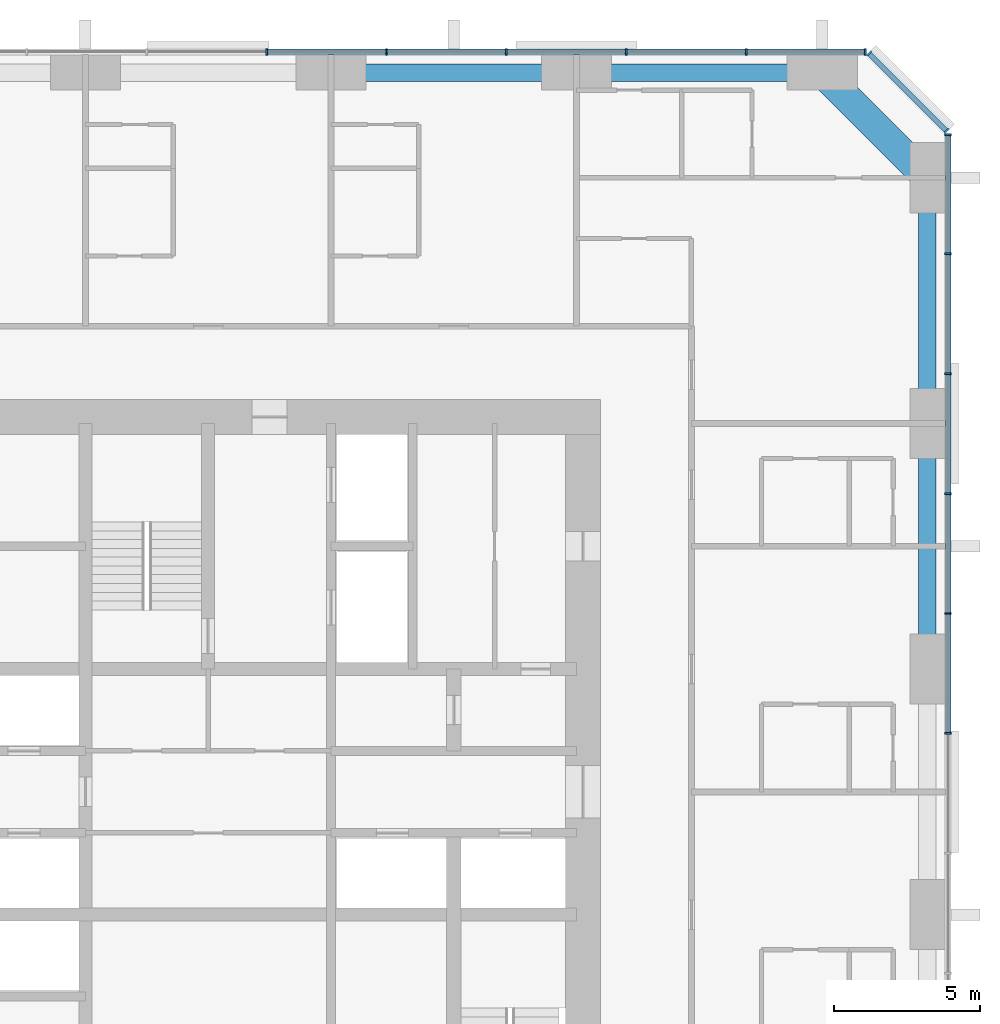
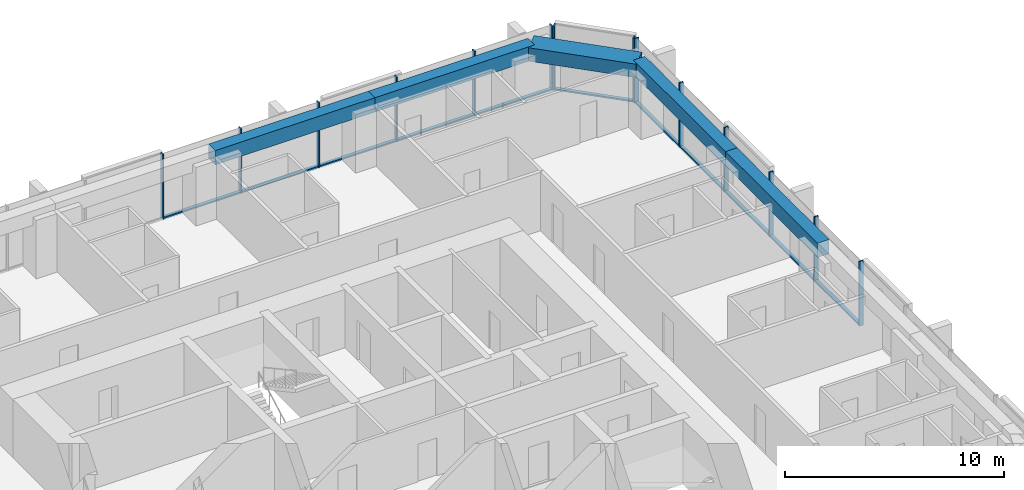
# One storey, part 6 of 14: 25 members, 5 beams, 3 elements without a shape of their own.
"""IFC4 building model written with IfcOpenShell, lengths in metres."""

from ifc_helpers import new_model, si_unit, direction, frame, origin, origin_2d, place, context, subcontext, project, spatial, rectangle, extrude, material, material_profile, profile_set, type_object, element, aggregate, save


model = new_model("IFC4")

# Units and contexts
model_context = context("Model", 3, precision=1e-05, world=origin(), true_north=direction((0.0, 1.0)))
body_context = subcontext(model_context, "Body", "Model", "MODEL_VIEW")
ifc_project = project(units=[si_unit("LENGTHUNIT", "METRE"), si_unit("AREAUNIT", "SQUARE_METRE"), si_unit("VOLUMEUNIT", "CUBIC_METRE"), si_unit("PLANEANGLEUNIT", "RADIAN"), si_unit("MASSUNIT", "GRAM", prefix="KILO")], contexts=[model_context])

# Site, building, storey
site_placement = place(None, origin())
site = spatial("IfcSite", under=ifc_project, at=site_placement, CompositionType="ELEMENT")
building_placement = place(site_placement, origin())
building = spatial("IfcBuilding", under=site, at=building_placement, Name="Dunama Terrace Hotel", CompositionType="ELEMENT")
storey_placement = place(building_placement, frame((0.0, 0.0, 104.39990234375)))
storey = spatial("IfcBuildingStorey", under=building, at=storey_placement, Name="L26", CompositionType="ELEMENT", Elevation=104.39990234375)

# Curtain wall, members
ifc_material_1 = material(Name="Aluminium curtain wall system", Category="aluminium")
curtain_wall_type = type_object("IfcCurtainWallType", Name="Unitised fritted glass wall CW-B", PredefinedType="NOTDEFINED", material=ifc_material_1)
curtain_wall_1_placement = place(storey_placement, origin())
curtain_wall_1 = element("IfcCurtainWall", 1, at=curtain_wall_1_placement, inside=storey, type_object=curtain_wall_type, Name="Unitised fritted glass wall CW-B L26", PredefinedType="NOTDEFINED")
ifc_material_2 = material(Name="Aluminium mullion", Category="aluminium")
ifc_material_profile_1 = material_profile(ifc_material_2, rectangle(XDim=0.06494140625, YDim=0.219970703125, at=origin_2d()), Name="CWB MULLION 65X220")
ifc_profile_set_1 = profile_set([ifc_material_profile_1], Name="Aluminium mullion")
member_type_1 = type_object("IfcMemberType", Name="CWB mullion 65x220", PredefinedType="MULLION", material=ifc_profile_set_1)
member_1_placement = place(storey_placement, frame((54.7099609375, 31.39990234375, 0.0), z_axis=(0.0, 0.0, 1.0), x_axis=(0.0, 1.0, 0.0)))
member_1 = element("IfcMember", 2, at=member_1_placement, type_object=member_type_1, Name="CWB mullion", PredefinedType="MULLION", context=body_context, shape_type="SweptSolid", body=[
    extrude(rectangle(XDim=0.06494140625, YDim=0.219970703125, at=origin_2d()), origin(), (0.0, 0.0, 1.0), 3.60009765625),
])
member_2_placement = place(storey_placement, frame((54.7099609375, 35.5, 0.0), z_axis=(0.0, 0.0, 1.0), x_axis=(0.0, 1.0, 0.0)))
member_2 = element("IfcMember", 3, at=member_2_placement, type_object=member_type_1, Name="CWB mullion", PredefinedType="MULLION", context=body_context, shape_type="SweptSolid", body=[
    extrude(rectangle(XDim=0.06494140625, YDim=0.219970703125, at=origin_2d()), origin(), (0.0, 0.0, 1.0), 3.60009765625),
])
member_3_placement = place(storey_placement, frame((54.7099609375, 39.60009765625, 0.0), z_axis=(0.0, 0.0, 1.0), x_axis=(0.0, 1.0, 0.0)))
member_3 = element("IfcMember", 4, at=member_3_placement, type_object=member_type_1, Name="CWB mullion", PredefinedType="MULLION", context=body_context, shape_type="SweptSolid", body=[
    extrude(rectangle(XDim=0.06494140625, YDim=0.219970703125, at=origin_2d()), origin(), (0.0, 0.0, 1.0), 3.60009765625),
])
member_4_placement = place(storey_placement, frame((54.7099609375, 43.699951171875, 0.0), z_axis=(0.0, 0.0, 1.0), x_axis=(0.0, 1.0, 0.0)))
member_4 = element("IfcMember", 5, at=member_4_placement, type_object=member_type_1, Name="CWB mullion", PredefinedType="MULLION", context=body_context, shape_type="SweptSolid", body=[
    extrude(rectangle(XDim=0.06494140625, YDim=0.219970703125, at=origin_2d()), origin(), (0.0, 0.0, 1.0), 3.60009765625),
])
member_5_placement = place(storey_placement, frame((54.7099609375, 47.800048828125, 0.0), z_axis=(0.0, 0.0, 1.0), x_axis=(0.0, 1.0, 0.0)))
member_5 = element("IfcMember", 6, at=member_5_placement, type_object=member_type_1, Name="CWB mullion", PredefinedType="MULLION", context=body_context, shape_type="SweptSolid", body=[
    extrude(rectangle(XDim=0.06494140625, YDim=0.219970703125, at=origin_2d()), origin(), (0.0, 0.0, 1.0), 3.60009765625),
])
member_6_placement = place(storey_placement, frame((54.7099609375, 51.866943359375, 0.0), z_axis=(0.0, 0.0, 1.0), x_axis=(0.0, 1.0, 0.0)))
member_6 = element("IfcMember", 7, at=member_6_placement, type_object=member_type_1, Name="CWB mullion", PredefinedType="MULLION", context=body_context, shape_type="SweptSolid", body=[
    extrude(rectangle(XDim=0.06494140625, YDim=0.219970703125, at=origin_2d()), origin(), (0.0, 0.0, 1.0), 3.60009765625),
])

curtain_wall_2_placement = place(storey_placement, origin())
curtain_wall_2 = element("IfcCurtainWall", 8, at=curtain_wall_2_placement, inside=storey, type_object=curtain_wall_type, Name="Unitised fritted glass wall CW-B L26", PredefinedType="NOTDEFINED")
member_7_placement = place(storey_placement, frame((54.655029296875, 52.0009765625, 0.0), z_axis=(0.0, 0.0, 1.0), x_axis=(-0.707106781187, 0.707106781187, 0.0)))
member_7 = element("IfcMember", 9, at=member_7_placement, type_object=member_type_1, Name="CWB mullion", PredefinedType="MULLION", context=body_context, shape_type="SweptSolid", body=[
    extrude(rectangle(XDim=0.06494140625, YDim=0.219970703125, at=origin_2d()), origin(), (0.0, 0.0, 1.0), 3.60009765625),
])
member_8_placement = place(storey_placement, frame((52.0009765625, 54.655029296875, 0.0), z_axis=(0.0, 0.0, 1.0), x_axis=(-0.707106781187, 0.707106781187, 0.0)))
member_8 = element("IfcMember", 10, at=member_8_placement, type_object=member_type_1, Name="CWB mullion", PredefinedType="MULLION", context=body_context, shape_type="SweptSolid", body=[
    extrude(rectangle(XDim=0.06494140625, YDim=0.219970703125, at=origin_2d()), origin(), (0.0, 0.0, 1.0), 3.60009765625),
])

curtain_wall_3_placement = place(storey_placement, origin())
curtain_wall_3 = element("IfcCurtainWall", 11, at=curtain_wall_3_placement, inside=storey, type_object=curtain_wall_type, Name="Unitised fritted glass wall CW-B L26", PredefinedType="NOTDEFINED")
member_9_placement = place(storey_placement, frame((51.866943359375, 54.7099609375, 0.0), z_axis=(0.0, 0.0, 1.0), x_axis=(-1.0, 0.0, 0.0)))
member_9 = element("IfcMember", 12, at=member_9_placement, type_object=member_type_1, Name="CWB mullion", PredefinedType="MULLION", context=body_context, shape_type="SweptSolid", body=[
    extrude(rectangle(XDim=0.06494140625, YDim=0.219970703125, at=origin_2d()), origin(), (0.0, 0.0, 1.0), 3.60009765625),
])
member_10_placement = place(storey_placement, frame((47.800048828125, 54.7099609375, 0.0), z_axis=(0.0, 0.0, 1.0), x_axis=(-1.0, 0.0, 0.0)))
member_10 = element("IfcMember", 13, at=member_10_placement, type_object=member_type_1, Name="CWB mullion", PredefinedType="MULLION", context=body_context, shape_type="SweptSolid", body=[
    extrude(rectangle(XDim=0.06494140625, YDim=0.219970703125, at=origin_2d()), origin(), (0.0, 0.0, 1.0), 3.60009765625),
])
member_11_placement = place(storey_placement, frame((43.699951171875, 54.7099609375, 0.0), z_axis=(0.0, 0.0, 1.0), x_axis=(-1.0, 0.0, 0.0)))
member_11 = element("IfcMember", 14, at=member_11_placement, type_object=member_type_1, Name="CWB mullion", PredefinedType="MULLION", context=body_context, shape_type="SweptSolid", body=[
    extrude(rectangle(XDim=0.06494140625, YDim=0.219970703125, at=origin_2d()), origin(), (0.0, 0.0, 1.0), 3.60009765625),
])
member_12_placement = place(storey_placement, frame((39.60009765625, 54.7099609375, 0.0), z_axis=(0.0, 0.0, 1.0), x_axis=(-1.0, 0.0, 0.0)))
member_12 = element("IfcMember", 15, at=member_12_placement, type_object=member_type_1, Name="CWB mullion", PredefinedType="MULLION", context=body_context, shape_type="SweptSolid", body=[
    extrude(rectangle(XDim=0.06494140625, YDim=0.219970703125, at=origin_2d()), origin(), (0.0, 0.0, 1.0), 3.60009765625),
])
member_13_placement = place(storey_placement, frame((35.5, 54.7099609375, 0.0), z_axis=(0.0, 0.0, 1.0), x_axis=(-1.0, 0.0, 0.0)))
member_13 = element("IfcMember", 16, at=member_13_placement, type_object=member_type_1, Name="CWB mullion", PredefinedType="MULLION", context=body_context, shape_type="SweptSolid", body=[
    extrude(rectangle(XDim=0.06494140625, YDim=0.219970703125, at=origin_2d()), origin(), (0.0, 0.0, 1.0), 3.60009765625),
])
member_14_placement = place(storey_placement, frame((31.39990234375, 54.7099609375, 0.0), z_axis=(0.0, 0.0, 1.0), x_axis=(-1.0, 0.0, 0.0)))
member_14 = element("IfcMember", 17, at=member_14_placement, type_object=member_type_1, Name="CWB mullion", PredefinedType="MULLION", context=body_context, shape_type="SweptSolid", body=[
    extrude(rectangle(XDim=0.06494140625, YDim=0.219970703125, at=origin_2d()), origin(), (0.0, 0.0, 1.0), 3.60009765625),
])

# Member
ifc_material_3 = material(Name="Aluminium transom", Category="aluminium")
ifc_material_profile_2 = material_profile(ifc_material_3, rectangle(XDim=0.179931640625, YDim=0.080078125, at=origin_2d()), Name="CWB TRANSOM 180X80")
ifc_profile_set_2 = profile_set([ifc_material_profile_2], Name="Aluminium transom")
member_type_2 = type_object("IfcMemberType", Name="CWB transom 180x80", PredefinedType="USERDEFINED", material=ifc_profile_set_2)
member_15_placement = place(storey_placement, frame((54.7099609375, 31.431884765625, 0.0400390625), z_axis=(0.0, 1.0, 0.0), x_axis=(-1.0, 0.0, 0.0)))
member_15 = element("IfcMember", 18, at=member_15_placement, type_object=member_type_2, Name="CWB transom", ObjectType="TRANSOM", PredefinedType="USERDEFINED", context=body_context, shape_type="SweptSolid", body=[
    extrude(rectangle(XDim=0.179931640625, YDim=0.080078125, at=origin_2d()), origin(), (0.0, 0.0, 1.0), 4.0361328125),
])

member_16_placement = place(storey_placement, frame((54.7099609375, 35.531982421875, 0.0400390625), z_axis=(0.0, 1.0, 0.0), x_axis=(-1.0, 0.0, 0.0)))
member_16 = element("IfcMember", 19, at=member_16_placement, type_object=member_type_2, Name="CWB transom", ObjectType="TRANSOM", PredefinedType="USERDEFINED", context=body_context, shape_type="SweptSolid", body=[
    extrude(rectangle(XDim=0.179931640625, YDim=0.080078125, at=origin_2d()), origin(), (0.0, 0.0, 1.0), 4.0361328125),
])

member_17_placement = place(storey_placement, frame((54.7099609375, 39.633056640625, 0.0400390625), z_axis=(0.0, 1.0, 0.0), x_axis=(-1.0, 0.0, 0.0)))
member_17 = element("IfcMember", 20, at=member_17_placement, type_object=member_type_2, Name="CWB transom", ObjectType="TRANSOM", PredefinedType="USERDEFINED", context=body_context, shape_type="SweptSolid", body=[
    extrude(rectangle(XDim=0.179931640625, YDim=0.080078125, at=origin_2d()), origin(), (0.0, 0.0, 1.0), 4.034912109375),
])

member_18_placement = place(storey_placement, frame((54.7099609375, 43.73291015625, 0.0400390625), z_axis=(0.0, 1.0, 0.0), x_axis=(-1.0, 0.0, 0.0)))
member_18 = element("IfcMember", 21, at=member_18_placement, type_object=member_type_2, Name="CWB transom", ObjectType="TRANSOM", PredefinedType="USERDEFINED", context=body_context, shape_type="SweptSolid", body=[
    extrude(rectangle(XDim=0.179931640625, YDim=0.080078125, at=origin_2d()), origin(), (0.0, 0.0, 1.0), 4.0341796875),
])

member_19_placement = place(storey_placement, frame((54.7099609375, 47.83203125, 0.0400390625), z_axis=(0.0, 1.0, 0.0), x_axis=(-1.0, 0.0, 0.0)))
member_19 = element("IfcMember", 22, at=member_19_placement, type_object=member_type_2, Name="CWB transom", ObjectType="TRANSOM", PredefinedType="USERDEFINED", context=body_context, shape_type="SweptSolid", body=[
    extrude(rectangle(XDim=0.179931640625, YDim=0.080078125, at=origin_2d()), origin(), (0.0, 0.0, 1.0), 4.0029296875),
])

aggregate(curtain_wall_1, [member_1, member_2, member_3, member_4, member_5, member_6, member_15, member_16, member_17, member_18, member_19])

member_20_placement = place(storey_placement, frame((54.632080078125, 52.02392578125, 0.0400390625), z_axis=(-0.707106781187, 0.707106781187, 0.0), x_axis=(-0.707106781187, -0.707106781187, 0.0)))
member_20 = element("IfcMember", 23, at=member_20_placement, type_object=member_type_2, Name="CWB transom", ObjectType="TRANSOM", PredefinedType="USERDEFINED", context=body_context, shape_type="SweptSolid", body=[
    extrude(rectangle(XDim=0.179931640625, YDim=0.080078125, at=origin_2d()), origin(), (0.0, 0.0, 1.0), 3.6884765625),
])

aggregate(curtain_wall_2, [member_7, member_8, member_20])

member_21_placement = place(storey_placement, frame((51.8349609375, 54.7099609375, 0.0400390625), z_axis=(-1.0, 0.0, 0.0), x_axis=(0.0, -1.0, 0.0)))
member_21 = element("IfcMember", 24, at=member_21_placement, type_object=member_type_2, Name="CWB transom", ObjectType="TRANSOM", PredefinedType="USERDEFINED", context=body_context, shape_type="SweptSolid", body=[
    extrude(rectangle(XDim=0.179931640625, YDim=0.080078125, at=origin_2d()), origin(), (0.0, 0.0, 1.0), 4.0029296875),
])

member_22_placement = place(storey_placement, frame((47.76708984375, 54.7099609375, 0.0400390625), z_axis=(-1.0, 0.0, 0.0), x_axis=(0.0, -1.0, 0.0)))
member_22 = element("IfcMember", 25, at=member_22_placement, type_object=member_type_2, Name="CWB transom", ObjectType="TRANSOM", PredefinedType="USERDEFINED", context=body_context, shape_type="SweptSolid", body=[
    extrude(rectangle(XDim=0.179931640625, YDim=0.080078125, at=origin_2d()), origin(), (0.0, 0.0, 1.0), 4.0341796875),
])

member_23_placement = place(storey_placement, frame((43.6669921875, 54.7099609375, 0.0400390625), z_axis=(-1.0, 0.0, 0.0), x_axis=(0.0, -1.0, 0.0)))
member_23 = element("IfcMember", 26, at=member_23_placement, type_object=member_type_2, Name="CWB transom", ObjectType="TRANSOM", PredefinedType="USERDEFINED", context=body_context, shape_type="SweptSolid", body=[
    extrude(rectangle(XDim=0.179931640625, YDim=0.080078125, at=origin_2d()), origin(), (0.0, 0.0, 1.0), 4.033935546875),
])

member_24_placement = place(storey_placement, frame((39.56689453125, 54.7099609375, 0.0400390625), z_axis=(-1.0, 0.0, 0.0), x_axis=(0.0, -1.0, 0.0)))
member_24 = element("IfcMember", 27, at=member_24_placement, type_object=member_type_2, Name="CWB transom", ObjectType="TRANSOM", PredefinedType="USERDEFINED", context=body_context, shape_type="SweptSolid", body=[
    extrude(rectangle(XDim=0.179931640625, YDim=0.080078125, at=origin_2d()), origin(), (0.0, 0.0, 1.0), 4.034912109375),
])

member_25_placement = place(storey_placement, frame((35.468017578125, 54.7099609375, 0.0400390625), z_axis=(-1.0, 0.0, 0.0), x_axis=(0.0, -1.0, 0.0)))
member_25 = element("IfcMember", 28, at=member_25_placement, type_object=member_type_2, Name="CWB transom", ObjectType="TRANSOM", PredefinedType="USERDEFINED", context=body_context, shape_type="SweptSolid", body=[
    extrude(rectangle(XDim=0.179931640625, YDim=0.080078125, at=origin_2d()), origin(), (0.0, 0.0, 1.0), 4.0361328125),
])

aggregate(curtain_wall_3, [member_9, member_10, member_11, member_12, member_13, member_14, member_21, member_22, member_23, member_24, member_25])

# Beams
ifc_material_4 = material(Name="Concrete C50/60", Category="concrete")
ifc_material_profile_3 = material_profile(ifc_material_4, rectangle(XDim=1.0, YDim=0.75, at=origin_2d()), Name="RC 1000x750")
ifc_profile_set_3 = profile_set([ifc_material_profile_3], Name="Concrete C50/60")
beam_type_1 = type_object("IfcBeamType", Name="Edge beam RC 1000x750", PredefinedType="SPANDREL", material=ifc_profile_set_3)
beam_placement = place(storey_placement, frame((50.39990234375, 54.0, 3.22509765625), z_axis=(0.707106781187, -0.707106781187, 0.0), x_axis=(0.707106781187, 0.707106781187, 0.0)))
element("IfcBeam", 29, at=beam_placement, inside=storey, type_object=beam_type_1, Name="Corner edge beam under L27", PredefinedType="SPANDREL", context=body_context, shape_type="SweptSolid", body=[
    extrude(rectangle(XDim=1.0, YDim=0.75, at=origin_2d()), origin(), (0.0, 0.0, 1.0), 5.09130859375),
])
ifc_material_5 = material(Name="Concrete C40/50", Category="concrete")
ifc_material_profile_4 = material_profile(ifc_material_5, rectangle(XDim=0.60009765625, YDim=0.800048828125, at=origin_2d()), Name="RC 600x800")
ifc_profile_set_4 = profile_set([ifc_material_profile_4], Name="Concrete C40/50")
beam_type_2 = type_object("IfcBeamType", Name="Edge beam RC 600x800", PredefinedType="SPANDREL", material=ifc_profile_set_4)
for number, where, z_axis, x_axis, name in (
    (30, (54.0, 33.60009765625, 3.2001953125), (0.0, 1.0, 0.0), (-1.0, 0.0, 0.0), "Edge beam under L27"),
    (31, (54.0, 42.0, 3.2001953125), (0.0, 1.0, 0.0), (-1.0, 0.0, 0.0), "Edge beam under L27"),
    (32, (33.60009765625, 54.0, 3.2001953125), (1.0, 0.0, 0.0), (0.0, 1.0, 0.0), "Edge beam under L27"),
    (33, (42.0, 54.0, 3.2001953125), (1.0, 0.0, 0.0), (0.0, 1.0, 0.0), "Edge beam under L27"),
):
    element("IfcBeam", number, at=place(storey_placement, frame(where, z_axis=z_axis, x_axis=x_axis)), inside=storey, type_object=beam_type_2, Name=name, PredefinedType="SPANDREL", context=body_context, shape_type="SweptSolid", body=[
        extrude(rectangle(XDim=0.60009765625, YDim=0.800048828125, at=origin_2d()), origin(), (0.0, 0.0, 1.0), 8.39990234375),
    ])

save(model, "model.ifc")
